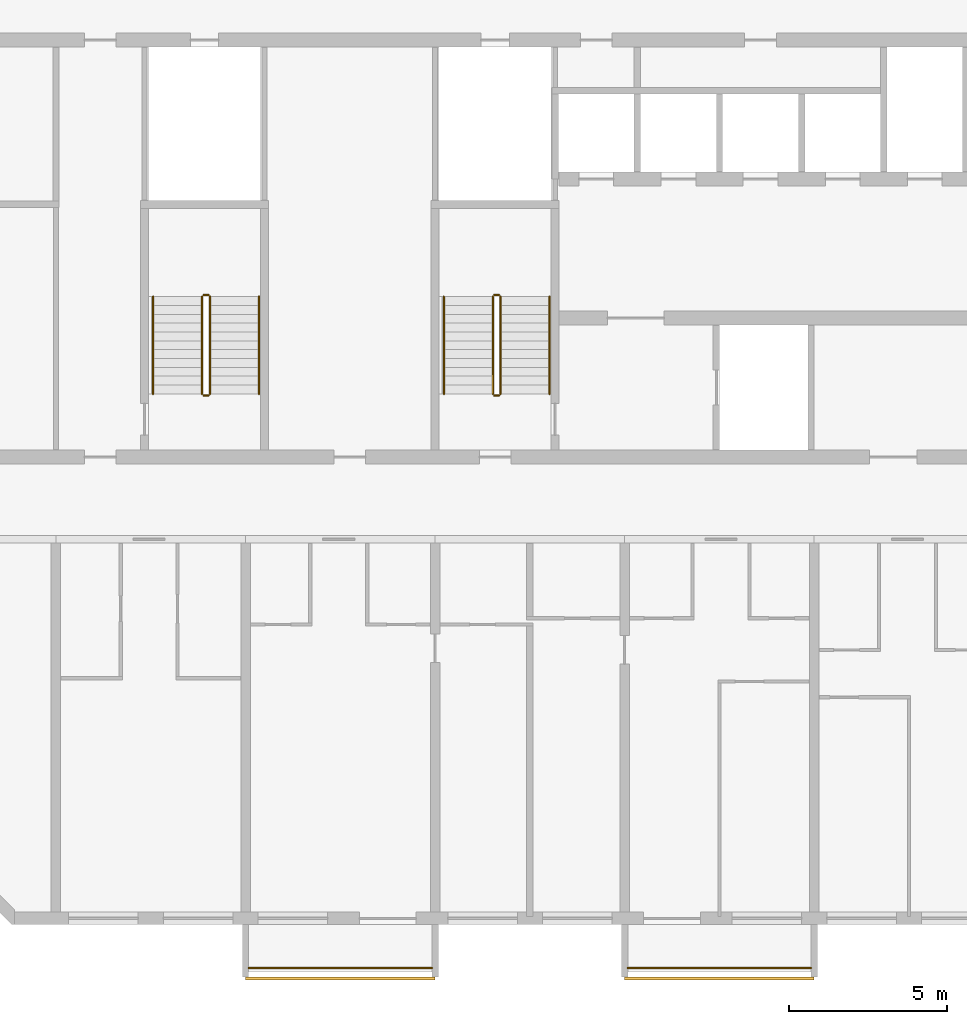
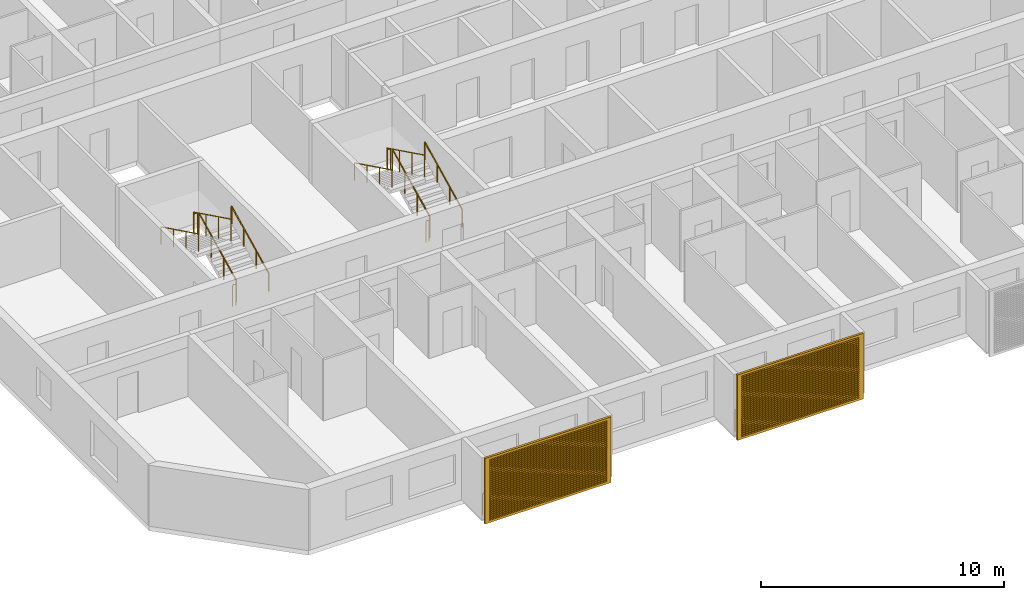
# One storey, part 15 of 33: 14 railings, 2 shading devices.
"""IFC4 building model written with IfcOpenShell, lengths in metres."""

import ifcopenshell
import ifcopenshell.guid

model = None  # the IFC model being written
_history = None  # IfcOwnerHistory: only IFC2X3 demands one
_inside = {}  # id of a spatial element -> (the spatial element, [elements in it])
_under = {}  # id of a project, library or spatial element -> (it, [spatial elements below it])
_declared = {}  # id of a project -> (the project, [libraries it declares])
_typed = {}  # id of a type object -> (the type object, [elements of that type])
_made_of = {}  # id of a material, layer set ... -> (it, [elements and type objects made of it])


def new_model(schema):
    """Start an empty IFC model of exactly this schema.

    Asked for "IFC4X3", IfcOpenShell would pick the latest addendum, in which some entities
    have other attributes; the version numbers below select the first issue.
    IFC2X3 requires an IfcOwnerHistory on every rooted entity: one is made here for all.
    """
    global model, _history
    if schema == "IFC4X3":
        model = ifcopenshell.file(schema_version=(4, 3, 0, 0))
    else:
        model = ifcopenshell.file(schema=schema)
    _inside.clear()
    _under.clear()
    _declared.clear()
    _typed.clear()
    _made_of.clear()
    _history = None
    if model.schema == "IFC2X3":
        org = make("IfcOrganization", Name="unknown")
        user = make(
            "IfcPersonAndOrganization",
            ThePerson=make("IfcPerson", FamilyName="unknown"),
            TheOrganization=org,
        )
        app = make(
            "IfcApplication",
            ApplicationDeveloper=org,
            Version="unknown",
            ApplicationFullName="unknown",
            ApplicationIdentifier="unknown",
        )
        _history = make(
            "IfcOwnerHistory",
            OwningUser=user,
            OwningApplication=app,
            ChangeAction="ADDED",
            CreationDate=0,
        )
    return model


def make(cls, **values):
    """One entity of the class cls with the attributes given. An attribute that is None is left unset."""
    return model.create_entity(
        cls, **{name: value for name, value in values.items() if value is not None}
    )


def rooted(cls, **values):
    """An entity with a GlobalId (a new one), such as an element, a storey or a relation."""
    return make(cls, GlobalId=ifcopenshell.guid.new(), OwnerHistory=_history, **values)


def si_unit(unit_type, name, prefix=None):
    """IfcSIUnit, for example si_unit("LENGTHUNIT", "METRE", prefix="MILLI")."""
    return make("IfcSIUnit", UnitType=unit_type, Prefix=prefix, Name=name)


def assignment(units):
    """IfcUnitAssignment: the units of a project."""
    return None if units is None else make("IfcUnitAssignment", Units=units)


def point(xyz):
    """IfcCartesianPoint."""
    return None if xyz is None else make("IfcCartesianPoint", Coordinates=xyz)


def direction(xyz):
    """IfcDirection."""
    return None if xyz is None else make("IfcDirection", DirectionRatios=xyz)


def frame(location, z_axis=None, x_axis=None):
    """IfcAxis2Placement3D, a coordinate frame: its origin and axes. An axis left out is left unset."""
    return make(
        "IfcAxis2Placement3D",
        Location=point(location),
        Axis=direction(z_axis),
        RefDirection=direction(x_axis),
    )


def frame_2d(location, x_axis=None):
    """IfcAxis2Placement2D, a coordinate frame in the plane: its origin and x axis."""
    return make(
        "IfcAxis2Placement2D", Location=point(location), RefDirection=direction(x_axis)
    )


def origin():
    """The frame at (0, 0, 0) with its axes left unset."""
    return frame((0.0, 0.0, 0.0))


def origin_2d():
    """The frame at (0, 0) in the plane with its x axis left unset."""
    return frame_2d((0.0, 0.0))


def place(relative_to, where):
    """IfcLocalPlacement: puts the frame where relative to a parent placement (None: the world)."""
    return make(
        "IfcLocalPlacement", PlacementRelTo=relative_to, RelativePlacement=where
    )


def context(
    kind, dimensions, precision=None, world=None, true_north=None, identifier=None
):
    """IfcGeometricRepresentationContext, for example the 3D "Model" context."""
    return make(
        "IfcGeometricRepresentationContext",
        ContextIdentifier=identifier,
        ContextType=kind,
        CoordinateSpaceDimension=dimensions,
        Precision=precision,
        WorldCoordinateSystem=world,
        TrueNorth=true_north,
    )


def subcontext(parent, identifier, kind, view, scale=None):
    """IfcGeometricRepresentationSubContext, for example "Body" below "Model"."""
    return make(
        "IfcGeometricRepresentationSubContext",
        ContextIdentifier=identifier,
        ContextType=kind,
        ParentContext=parent,
        TargetScale=scale,
        TargetView=view,
    )


def project(units=None, contexts=None):
    """IfcProject with its units and contexts."""
    return rooted(
        "IfcProject",
        Name="project",
        RepresentationContexts=contexts,
        UnitsInContext=assignment(units),
    )


def spatial(cls, under=None, at=None, **own):
    """A site, building, storey or space (cls), placed at a placement, below another one or the project."""
    s = rooted(cls, ObjectPlacement=at, **own)
    if under is not None:
        _under.setdefault(under.id(), (under, []))[1].append(s)
    return s


def polyline(points):
    """IfcPolyline through the points."""
    return make("IfcPolyline", Points=[point(p) for p in points])


def profile(cls, at=None, kind="AREA", **sizes):
    """A parametric profile (cls). Its sizes go by their IFC names, for example OverallWidth=200.0."""
    return make(cls, ProfileType=kind, Position=at, **sizes)


def circle(**sizes):
    """IfcCircleProfileDef."""
    return profile("IfcCircleProfileDef", **sizes)


def outline(outer, holes=None, kind="AREA"):
    """IfcArbitraryClosedProfileDef: a profile drawn as a closed curve; with holes, ...WithVoids."""
    if holes is None:
        return make("IfcArbitraryClosedProfileDef", ProfileType=kind, OuterCurve=outer)
    return make(
        "IfcArbitraryProfileDefWithVoids",
        ProfileType=kind,
        OuterCurve=outer,
        InnerCurves=holes,
    )


def extrude(swept, where, along, depth):
    """IfcExtrudedAreaSolid: the profile swept, set in the frame where, extruded along a direction by depth."""
    return make(
        "IfcExtrudedAreaSolid",
        SweptArea=swept,
        Position=where,
        ExtrudedDirection=direction(along),
        Depth=depth,
    )


def shape(context_of_items, identifier, shape_type, items):
    """IfcShapeRepresentation: the items that make up one representation, for example the "Body"."""
    return make(
        "IfcShapeRepresentation",
        ContextOfItems=context_of_items,
        RepresentationIdentifier=identifier,
        RepresentationType=shape_type,
        Items=items,
    )


def source(mapping_origin, context_of_items, identifier, shape_type, items):
    """IfcRepresentationMap: a shape defined once, which mapped items show again and again."""
    return make(
        "IfcRepresentationMap",
        MappingOrigin=mapping_origin,
        MappedRepresentation=shape(context_of_items, identifier, shape_type, items),
    )


def transform(
    local_origin,
    x_axis=None,
    y_axis=None,
    z_axis=None,
    scale=None,
    scale2=None,
    scale3=None,
    uniform=True,
):
    """IfcCartesianTransformationOperator3D, or its non-uniform kind. x_axis, y_axis, z_axis: its Axis1, 2, 3."""
    if uniform:
        return make(
            "IfcCartesianTransformationOperator3D",
            Axis1=direction(x_axis),
            Axis2=direction(y_axis),
            LocalOrigin=point(local_origin),
            Scale=scale,
            Axis3=direction(z_axis),
        )
    return make(
        "IfcCartesianTransformationOperator3DnonUniform",
        Axis1=direction(x_axis),
        Axis2=direction(y_axis),
        LocalOrigin=point(local_origin),
        Scale=scale,
        Axis3=direction(z_axis),
        Scale2=scale2,
        Scale3=scale3,
    )


def mapped(mapping_source, mapping_target):
    """IfcMappedItem: shows the shape of a source again, moved by a transform."""
    return make(
        "IfcMappedItem", MappingSource=mapping_source, MappingTarget=mapping_target
    )


def material(Name=None, Category=None):
    """IfcMaterial."""
    return make("IfcMaterial", Name=Name, Category=Category)


def material_profile(
    of_material, cross_section, Name=None, Category=None, Priority=None
):
    """IfcMaterialProfile: a cross section and its material."""
    return make(
        "IfcMaterialProfile",
        Name=Name,
        Material=of_material,
        Profile=cross_section,
        Priority=Priority,
        Category=Category,
    )


def profile_set(profiles, Name=None, composite=None):
    """IfcMaterialProfileSet."""
    return make(
        "IfcMaterialProfileSet",
        Name=Name,
        MaterialProfiles=profiles,
        CompositeProfile=composite,
    )


def made_of(thing, what):
    """Note that an element or type object is made of a material, layer set ...; save() writes the relation."""
    if what is not None:
        _made_of.setdefault(what.id(), (what, []))[1].append(thing)
    return thing


def type_object(cls, material=None, **own):
    """A type object (cls), such as IfcWallType, which elements share."""
    return made_of(rooted(cls, **own), material)


def element(
    cls,
    number,
    at=None,
    inside=None,
    cuts=None,
    type_object=None,
    material=None,
    context=None,
    identifier="Body",
    shape_type=None,
    held_by="IfcProductDefinitionShape",
    body=None,
    shapes=None,
    **own,
):
    """One element of the class cls, such as IfcWall. Its Tag is "e" and its number.

    at: its placement. inside: the storey or other place that contains it. cuts: it is an
    opening in that element (IfcRelVoidsElement). A single representation is given by context,
    identifier, shape_type and body (its items); several are given by shapes. held_by: the class
    of the entity that holds the representations. save() writes the other relations.
    """
    e = rooted(cls, Tag="e%d" % number, ObjectPlacement=at, **own)
    if body is not None:
        shapes = [shape(context, identifier, shape_type, body)]
    if shapes is not None:
        e.Representation = make(held_by, Representations=shapes)
    if inside is not None:
        _inside.setdefault(inside.id(), (inside, []))[1].append(e)
    if cuts is not None:
        rooted(
            "IfcRelVoidsElement", RelatingBuildingElement=cuts, RelatedOpeningElement=e
        )
    if type_object is not None:
        _typed.setdefault(type_object.id(), (type_object, []))[1].append(e)
    return made_of(e, material)


def aggregate(whole, parts):
    """IfcRelAggregates: a whole, such as a stair, and the parts it consists of."""
    return rooted("IfcRelAggregates", RelatingObject=whole, RelatedObjects=parts)


def save(model, path):
    """Write the relations noted so far, then the file.

    IfcRelAggregates (storeys below a building ...), IfcRelContainedInSpatialStructure (elements
    in a storey), IfcRelDefinesByType, IfcRelAssociatesMaterial and IfcRelDeclares: one each for
    every whole, place, type object, material and project.
    """
    for whole, parts in _under.values():
        aggregate(whole, parts)
    for where, things in _inside.values():
        rooted(
            "IfcRelContainedInSpatialStructure",
            RelatedElements=things,
            RelatingStructure=where,
        )
    for kind, things in _typed.values():
        rooted("IfcRelDefinesByType", RelatedObjects=things, RelatingType=kind)
    for what, things in _made_of.values():
        rooted("IfcRelAssociatesMaterial", RelatedObjects=things, RelatingMaterial=what)
    for by, libraries in _declared.values():
        rooted("IfcRelDeclares", RelatingContext=by, RelatedDefinitions=libraries)
    model.write(path)


model = new_model("IFC4")

# Units and contexts
model_context = context("Model", 3, precision=1e-05, world=origin(), true_north=direction((0.0, 1.0)))
body_context = subcontext(model_context, "Body", "Model", "MODEL_VIEW")
ifc_project = project(units=[si_unit("LENGTHUNIT", "METRE"), si_unit("AREAUNIT", "SQUARE_METRE"), si_unit("VOLUMEUNIT", "CUBIC_METRE"), si_unit("PLANEANGLEUNIT", "RADIAN"), si_unit("MASSUNIT", "GRAM", prefix="KILO")], contexts=[model_context])

# Site, building, storey
site_placement = place(None, origin())
site = spatial("IfcSite", under=ifc_project, at=site_placement, CompositionType="ELEMENT")
building_placement = place(site_placement, origin())
building = spatial("IfcBuilding", under=site, at=building_placement, Name="Poui Terraces", CompositionType="ELEMENT")
storey_placement = place(building_placement, frame((0.0, 0.0, 138.89990234375)))
storey = spatial("IfcBuildingStorey", under=building, at=storey_placement, Name="L38", CompositionType="ELEMENT", Elevation=138.89990234375)

# Railings
ifc_material_1 = material(Name="Painted steel fretwork", Category="steel")
railing_type_1 = type_object("IfcRailingType", Name="BALCONY GUARD 1100", PredefinedType="GUARDRAIL", material=ifc_material_1)
for number, where, name in (
    (1, (24.10009765625, -1.570068359375, 0.0), "BALCONY GUARD"),
    (2, (36.10009765625, -1.570068359375, 0.0), "BALCONY GUARD"),
):
    element("IfcRailing", number, at=place(storey_placement, frame(where)), inside=storey, type_object=railing_type_1, Name=name, PredefinedType="GUARDRAIL", context=body_context, shape_type="SweptSolid", body=[
        extrude(circle(Radius=0.02392578125, at=origin_2d()), frame((0.0, 0.0, 1.076171875), z_axis=(1.0, 0.0, 0.0), x_axis=(0.0, 1.0, 0.0)), (0.0, 0.0, 1.0), 5.7998046875),
        extrude(circle(Radius=0.02099609375, at=origin_2d()), origin(), (0.0, 0.0, 1.0), 1.052001953125),
        extrude(circle(Radius=0.02099609375, at=origin_2d()), frame((0.966552734375, 0.0, 0.0)), (0.0, 0.0, 1.0), 1.052001953125),
        extrude(circle(Radius=0.02099609375, at=origin_2d()), frame((1.933349609375, 0.0, 0.0)), (0.0, 0.0, 1.0), 1.052001953125),
        extrude(circle(Radius=0.02099609375, at=origin_2d()), frame((2.89990234375, 0.0, 0.0)), (0.0, 0.0, 1.0), 1.052001953125),
        extrude(circle(Radius=0.02099609375, at=origin_2d()), frame((3.866455078125, 0.0, 0.0)), (0.0, 0.0, 1.0), 1.052001953125),
        extrude(circle(Radius=0.02099609375, at=origin_2d()), frame((4.833251953125, 0.0, 0.0)), (0.0, 0.0, 1.0), 1.052001953125),
        extrude(circle(Radius=0.02099609375, at=origin_2d()), frame((5.7998046875, 0.0, 0.0)), (0.0, 0.0, 1.0), 1.052001953125),
    ])
ifc_material_2 = material(Name="Galvanised steel balustrade", Category="steel")
railing_type_2 = type_object("IfcRailingType", Name="STAIR GUARD 1100", PredefinedType="GUARDRAIL", material=ifc_material_2)
railing_1_placement = place(storey_placement, frame((32.074951171875, 16.60009765625, 0.1376953125)))
element("IfcRailing", 3, at=railing_1_placement, inside=storey, type_object=railing_type_2, Name="L38 ST-CW stair guard 1", PredefinedType="GUARDRAIL", context=body_context, shape_type="SweptSolid", body=[
    extrude(circle(Radius=0.02392578125, at=origin_2d()), frame((0.0, 0.0, 1.076171875), z_axis=(0.0, 0.897606190399, 0.440798283751), x_axis=(-1.0, 0.0, 0.0)), (0.0, 0.0, 1.0), 3.43115234375),
    extrude(circle(Radius=0.02099609375, at=origin_2d()), origin(), (0.0, 0.0, 1.0), 1.052001953125),
    extrude(circle(Radius=0.02099609375, at=origin_2d()), frame((0.0, 1.026611328125, 0.504150390625)), (0.0, 0.0, 1.0), 1.052001953125),
    extrude(circle(Radius=0.02099609375, at=origin_2d()), frame((0.0, 2.05322265625, 1.00830078125)), (0.0, 0.0, 1.0), 1.052001953125),
    extrude(circle(Radius=0.02099609375, at=origin_2d()), frame((0.0, 3.079833984375, 1.512451171875)), (0.0, 0.0, 1.0), 1.052001953125),
])
railing_2_placement = place(storey_placement, frame((32.02490234375, 19.72998046875, 1.650146484375)))
element("IfcRailing", 4, at=railing_2_placement, inside=storey, type_object=railing_type_2, Name="L38 ST-CW stair guard 2", PredefinedType="GUARDRAIL", context=body_context, shape_type="SweptSolid", body=[
    extrude(circle(Radius=0.02392578125, at=origin_2d()), frame((0.0, 0.0, 1.076171875), z_axis=(-1.0, 0.0, 0.0), x_axis=(0.0, -1.0, 0.0)), (0.0, 0.0, 1.0), 0.14990234375),
    extrude(circle(Radius=0.02099609375, at=origin_2d()), origin(), (0.0, 0.0, 1.0), 1.052001953125),
    extrude(circle(Radius=0.02099609375, at=origin_2d()), frame((-0.14990234375, 0.0, 0.0)), (0.0, 0.0, 1.0), 1.052001953125),
])
railing_3_placement = place(storey_placement, frame((31.824951171875, 19.679931640625, 1.78759765625)))
element("IfcRailing", 5, at=railing_3_placement, inside=storey, type_object=railing_type_2, Name="L38 ST-CW stair guard 3", PredefinedType="GUARDRAIL", context=body_context, shape_type="SweptSolid", body=[
    extrude(circle(Radius=0.02392578125, at=origin_2d()), frame((0.0, 0.0, 1.076171875), z_axis=(0.0, -0.897606190399, 0.440798283751), x_axis=(1.0, 0.0, 0.0)), (0.0, 0.0, 1.0), 3.43115234375),
    extrude(circle(Radius=0.02099609375, at=origin_2d()), origin(), (0.0, 0.0, 1.0), 1.052001953125),
    extrude(circle(Radius=0.02099609375, at=origin_2d()), frame((0.0, -1.026611328125, 0.504150390625)), (0.0, 0.0, 1.0), 1.052001953125),
    extrude(circle(Radius=0.02099609375, at=origin_2d()), frame((0.0, -2.05322265625, 1.00830078125)), (0.0, 0.0, 1.0), 1.052001953125),
    extrude(circle(Radius=0.02099609375, at=origin_2d()), frame((0.0, -3.079833984375, 1.512451171875)), (0.0, 0.0, 1.0), 1.052001953125),
])
railing_4_placement = place(storey_placement, frame((32.02490234375, 16.550048828125, 0.0)))
element("IfcRailing", 6, at=railing_4_placement, inside=storey, type_object=railing_type_2, Name="L38 ST-CW stair guard 4", PredefinedType="GUARDRAIL", context=body_context, shape_type="SweptSolid", body=[
    extrude(circle(Radius=0.02392578125, at=origin_2d()), frame((0.0, 0.0, 1.076171875), z_axis=(-1.0, 0.0, 0.0), x_axis=(0.0, -1.0, 0.0)), (0.0, 0.0, 1.0), 0.14990234375),
    extrude(circle(Radius=0.02099609375, at=origin_2d()), origin(), (0.0, 0.0, 1.0), 1.052001953125),
    extrude(circle(Radius=0.02099609375, at=origin_2d()), frame((-0.14990234375, 0.0, 0.0)), (0.0, 0.0, 1.0), 1.052001953125),
])
railing_5_placement = place(storey_placement, frame((22.875, 16.60009765625, 0.1376953125)))
element("IfcRailing", 7, at=railing_5_placement, inside=storey, type_object=railing_type_2, Name="L38 ST-W stair guard 1", PredefinedType="GUARDRAIL", context=body_context, shape_type="SweptSolid", body=[
    extrude(circle(Radius=0.02392578125, at=origin_2d()), frame((0.0, 0.0, 1.076171875), z_axis=(0.0, 0.897606190399, 0.440798283751), x_axis=(-1.0, 0.0, 0.0)), (0.0, 0.0, 1.0), 3.43115234375),
    extrude(circle(Radius=0.02099609375, at=origin_2d()), origin(), (0.0, 0.0, 1.0), 1.052001953125),
    extrude(circle(Radius=0.02099609375, at=origin_2d()), frame((0.0, 1.026611328125, 0.504150390625)), (0.0, 0.0, 1.0), 1.052001953125),
    extrude(circle(Radius=0.02099609375, at=origin_2d()), frame((0.0, 2.05322265625, 1.00830078125)), (0.0, 0.0, 1.0), 1.052001953125),
    extrude(circle(Radius=0.02099609375, at=origin_2d()), frame((0.0, 3.079833984375, 1.512451171875)), (0.0, 0.0, 1.0), 1.052001953125),
])
railing_6_placement = place(storey_placement, frame((22.824951171875, 19.72998046875, 1.650146484375)))
element("IfcRailing", 8, at=railing_6_placement, inside=storey, type_object=railing_type_2, Name="L38 ST-W stair guard 2", PredefinedType="GUARDRAIL", context=body_context, shape_type="SweptSolid", body=[
    extrude(circle(Radius=0.02392578125, at=origin_2d()), frame((0.0, 0.0, 1.076171875), z_axis=(-1.0, 0.0, 0.0), x_axis=(0.0, -1.0, 0.0)), (0.0, 0.0, 1.0), 0.14990234375),
    extrude(circle(Radius=0.02099609375, at=origin_2d()), origin(), (0.0, 0.0, 1.0), 1.052001953125),
    extrude(circle(Radius=0.02099609375, at=origin_2d()), frame((-0.14990234375, 0.0, 0.0)), (0.0, 0.0, 1.0), 1.052001953125),
])
railing_7_placement = place(storey_placement, frame((22.625, 19.679931640625, 1.78759765625)))
element("IfcRailing", 9, at=railing_7_placement, inside=storey, type_object=railing_type_2, Name="L38 ST-W stair guard 3", PredefinedType="GUARDRAIL", context=body_context, shape_type="SweptSolid", body=[
    extrude(circle(Radius=0.02392578125, at=origin_2d()), frame((0.0, 0.0, 1.076171875), z_axis=(0.0, -0.897606190399, 0.440798283751), x_axis=(1.0, 0.0, 0.0)), (0.0, 0.0, 1.0), 3.43115234375),
    extrude(circle(Radius=0.02099609375, at=origin_2d()), origin(), (0.0, 0.0, 1.0), 1.052001953125),
    extrude(circle(Radius=0.02099609375, at=origin_2d()), frame((0.0, -1.026611328125, 0.504150390625)), (0.0, 0.0, 1.0), 1.052001953125),
    extrude(circle(Radius=0.02099609375, at=origin_2d()), frame((0.0, -2.05322265625, 1.00830078125)), (0.0, 0.0, 1.0), 1.052001953125),
    extrude(circle(Radius=0.02099609375, at=origin_2d()), frame((0.0, -3.079833984375, 1.512451171875)), (0.0, 0.0, 1.0), 1.052001953125),
])
railing_8_placement = place(storey_placement, frame((22.824951171875, 16.550048828125, 0.0)))
element("IfcRailing", 10, at=railing_8_placement, inside=storey, type_object=railing_type_2, Name="L38 ST-W stair guard 4", PredefinedType="GUARDRAIL", context=body_context, shape_type="SweptSolid", body=[
    extrude(circle(Radius=0.02392578125, at=origin_2d()), frame((0.0, 0.0, 1.076171875), z_axis=(-1.0, 0.0, 0.0), x_axis=(0.0, -1.0, 0.0)), (0.0, 0.0, 1.0), 0.14990234375),
    extrude(circle(Radius=0.02099609375, at=origin_2d()), origin(), (0.0, 0.0, 1.0), 1.052001953125),
    extrude(circle(Radius=0.02099609375, at=origin_2d()), frame((-0.14990234375, 0.0, 0.0)), (0.0, 0.0, 1.0), 1.052001953125),
])
ifc_material_3 = material(Name="Stainless steel handrail", Category="steel")
railing_type_3 = type_object("IfcRailingType", Name="STAIR HANDRAIL 900", PredefinedType="HANDRAIL", material=ifc_material_3)
railing_9_placement = place(storey_placement, frame((33.625, 16.60009765625, 0.1376953125)))
element("IfcRailing", 11, at=railing_9_placement, inside=storey, type_object=railing_type_3, Name="L38 ST-CW stair handrail 1", PredefinedType="HANDRAIL", context=body_context, shape_type="SweptSolid", body=[
    extrude(circle(Radius=0.02392578125, at=origin_2d()), frame((0.0, 0.0, 0.8759765625), z_axis=(0.0, 0.897606190399, 0.440798283751), x_axis=(-1.0, 0.0, 0.0)), (0.0, 0.0, 1.0), 3.43115234375),
    extrude(circle(Radius=0.02099609375, at=origin_2d()), origin(), (0.0, 0.0, 1.0), 0.851806640625),
    extrude(circle(Radius=0.02099609375, at=origin_2d()), frame((0.0, 1.026611328125, 0.504150390625)), (0.0, 0.0, 1.0), 0.851806640625),
    extrude(circle(Radius=0.02099609375, at=origin_2d()), frame((0.0, 2.05322265625, 1.00830078125)), (0.0, 0.0, 1.0), 0.851806640625),
    extrude(circle(Radius=0.02099609375, at=origin_2d()), frame((0.0, 3.079833984375, 1.512451171875)), (0.0, 0.0, 1.0), 0.851806640625),
])
railing_10_placement = place(storey_placement, frame((30.27490234375, 19.679931640625, 1.78759765625)))
element("IfcRailing", 12, at=railing_10_placement, inside=storey, type_object=railing_type_3, Name="L38 ST-CW stair handrail 2", PredefinedType="HANDRAIL", context=body_context, shape_type="SweptSolid", body=[
    extrude(circle(Radius=0.02392578125, at=origin_2d()), frame((0.0, 0.0, 0.8759765625), z_axis=(0.0, -0.897606190399, 0.440798283751), x_axis=(1.0, 0.0, 0.0)), (0.0, 0.0, 1.0), 3.43115234375),
    extrude(circle(Radius=0.02099609375, at=origin_2d()), origin(), (0.0, 0.0, 1.0), 0.851806640625),
    extrude(circle(Radius=0.02099609375, at=origin_2d()), frame((0.0, -1.026611328125, 0.504150390625)), (0.0, 0.0, 1.0), 0.851806640625),
    extrude(circle(Radius=0.02099609375, at=origin_2d()), frame((0.0, -2.05322265625, 1.00830078125)), (0.0, 0.0, 1.0), 0.851806640625),
    extrude(circle(Radius=0.02099609375, at=origin_2d()), frame((0.0, -3.079833984375, 1.512451171875)), (0.0, 0.0, 1.0), 0.851806640625),
])
railing_11_placement = place(storey_placement, frame((24.425048828125, 16.60009765625, 0.1376953125)))
element("IfcRailing", 13, at=railing_11_placement, inside=storey, type_object=railing_type_3, Name="L38 ST-W stair handrail 1", PredefinedType="HANDRAIL", context=body_context, shape_type="SweptSolid", body=[
    extrude(circle(Radius=0.02392578125, at=origin_2d()), frame((0.0, 0.0, 0.8759765625), z_axis=(0.0, 0.897606190399, 0.440798283751), x_axis=(-1.0, 0.0, 0.0)), (0.0, 0.0, 1.0), 3.43115234375),
    extrude(circle(Radius=0.02099609375, at=origin_2d()), origin(), (0.0, 0.0, 1.0), 0.851806640625),
    extrude(circle(Radius=0.02099609375, at=origin_2d()), frame((0.0, 1.026611328125, 0.504150390625)), (0.0, 0.0, 1.0), 0.851806640625),
    extrude(circle(Radius=0.02099609375, at=origin_2d()), frame((0.0, 2.05322265625, 1.00830078125)), (0.0, 0.0, 1.0), 0.851806640625),
    extrude(circle(Radius=0.02099609375, at=origin_2d()), frame((0.0, 3.079833984375, 1.512451171875)), (0.0, 0.0, 1.0), 0.851806640625),
])
railing_12_placement = place(storey_placement, frame((21.074951171875, 19.679931640625, 1.78759765625)))
element("IfcRailing", 14, at=railing_12_placement, inside=storey, type_object=railing_type_3, Name="L38 ST-W stair handrail 2", PredefinedType="HANDRAIL", context=body_context, shape_type="SweptSolid", body=[
    extrude(circle(Radius=0.02392578125, at=origin_2d()), frame((0.0, 0.0, 0.8759765625), z_axis=(0.0, -0.897606190399, 0.440798283751), x_axis=(1.0, 0.0, 0.0)), (0.0, 0.0, 1.0), 3.43115234375),
    extrude(circle(Radius=0.02099609375, at=origin_2d()), origin(), (0.0, 0.0, 1.0), 0.851806640625),
    extrude(circle(Radius=0.02099609375, at=origin_2d()), frame((0.0, -1.026611328125, 0.504150390625)), (0.0, 0.0, 1.0), 0.851806640625),
    extrude(circle(Radius=0.02099609375, at=origin_2d()), frame((0.0, -2.05322265625, 1.00830078125)), (0.0, 0.0, 1.0), 0.851806640625),
    extrude(circle(Radius=0.02099609375, at=origin_2d()), frame((0.0, -3.079833984375, 1.512451171875)), (0.0, 0.0, 1.0), 0.851806640625),
])

# Shading devices
ifc_material_4 = material(Name="Aluminium louvre", Category="aluminium")
ifc_material_profile = material_profile(ifc_material_4, outline(polyline([(-3.0, -1.64990234375), (3.0, -1.64990234375), (3.0, 1.64990234375), (-3.0, 1.64990234375), (-3.0, -1.64990234375)]), holes=[polyline([(-2.800048828125, -1.530029296875), (2.800048828125, -1.530029296875), (2.800048828125, -1.469970703125), (-2.800048828125, -1.469970703125), (-2.800048828125, -1.530029296875)]), polyline([(-2.800048828125, -1.429931640625), (2.800048828125, -1.429931640625), (2.800048828125, -1.3701171875), (-2.800048828125, -1.3701171875), (-2.800048828125, -1.429931640625)]), polyline([(-2.800048828125, -1.330078125), (2.800048828125, -1.330078125), (2.800048828125, -1.27001953125), (-2.800048828125, -1.27001953125), (-2.800048828125, -1.330078125)]), polyline([(-2.800048828125, -1.22998046875), (2.800048828125, -1.22998046875), (2.800048828125, -1.169921875), (-2.800048828125, -1.169921875), (-2.800048828125, -1.22998046875)]), polyline([(-2.800048828125, -1.1298828125), (2.800048828125, -1.1298828125), (2.800048828125, -1.070068359375), (-2.800048828125, -1.070068359375), (-2.800048828125, -1.1298828125)]), polyline([(-2.800048828125, -1.030029296875), (2.800048828125, -1.030029296875), (2.800048828125, -0.969970703125), (-2.800048828125, -0.969970703125), (-2.800048828125, -1.030029296875)]), polyline([(-2.800048828125, -0.929931640625), (2.800048828125, -0.929931640625), (2.800048828125, -0.8701171875), (-2.800048828125, -0.8701171875), (-2.800048828125, -0.929931640625)]), polyline([(-2.800048828125, -0.830078125), (2.800048828125, -0.830078125), (2.800048828125, -0.77001953125), (-2.800048828125, -0.77001953125), (-2.800048828125, -0.830078125)]), polyline([(-2.800048828125, -0.72998046875), (2.800048828125, -0.72998046875), (2.800048828125, -0.669921875), (-2.800048828125, -0.669921875), (-2.800048828125, -0.72998046875)]), polyline([(-2.800048828125, -0.6298828125), (2.800048828125, -0.6298828125), (2.800048828125, -0.570068359375), (-2.800048828125, -0.570068359375), (-2.800048828125, -0.6298828125)]), polyline([(-2.800048828125, -0.530029296875), (2.800048828125, -0.530029296875), (2.800048828125, -0.469970703125), (-2.800048828125, -0.469970703125), (-2.800048828125, -0.530029296875)]), polyline([(-2.800048828125, -0.429931640625), (2.800048828125, -0.429931640625), (2.800048828125, -0.3701171875), (-2.800048828125, -0.3701171875), (-2.800048828125, -0.429931640625)]), polyline([(-2.800048828125, -0.330078125), (2.800048828125, -0.330078125), (2.800048828125, -0.27001953125), (-2.800048828125, -0.27001953125), (-2.800048828125, -0.330078125)]), polyline([(-2.800048828125, -0.22998046875), (2.800048828125, -0.22998046875), (2.800048828125, -0.169921875), (-2.800048828125, -0.169921875), (-2.800048828125, -0.22998046875)]), polyline([(-2.800048828125, -0.1298828125), (2.800048828125, -0.1298828125), (2.800048828125, -0.070068359375), (-2.800048828125, -0.070068359375), (-2.800048828125, -0.1298828125)]), polyline([(-2.800048828125, -0.030029296875), (2.800048828125, -0.030029296875), (2.800048828125, 0.030029296875), (-2.800048828125, 0.030029296875), (-2.800048828125, -0.030029296875)]), polyline([(-2.800048828125, 0.070068359375), (2.800048828125, 0.070068359375), (2.800048828125, 0.1298828125), (-2.800048828125, 0.1298828125), (-2.800048828125, 0.070068359375)]), polyline([(-2.800048828125, 0.169921875), (2.800048828125, 0.169921875), (2.800048828125, 0.22998046875), (-2.800048828125, 0.22998046875), (-2.800048828125, 0.169921875)]), polyline([(-2.800048828125, 0.27001953125), (2.800048828125, 0.27001953125), (2.800048828125, 0.330078125), (-2.800048828125, 0.330078125), (-2.800048828125, 0.27001953125)]), polyline([(-2.800048828125, 0.3701171875), (2.800048828125, 0.3701171875), (2.800048828125, 0.429931640625), (-2.800048828125, 0.429931640625), (-2.800048828125, 0.3701171875)]), polyline([(-2.800048828125, 0.469970703125), (2.800048828125, 0.469970703125), (2.800048828125, 0.530029296875), (-2.800048828125, 0.530029296875), (-2.800048828125, 0.469970703125)]), polyline([(-2.800048828125, 0.570068359375), (2.800048828125, 0.570068359375), (2.800048828125, 0.6298828125), (-2.800048828125, 0.6298828125), (-2.800048828125, 0.570068359375)]), polyline([(-2.800048828125, 0.669921875), (2.800048828125, 0.669921875), (2.800048828125, 0.72998046875), (-2.800048828125, 0.72998046875), (-2.800048828125, 0.669921875)]), polyline([(-2.800048828125, 0.77001953125), (2.800048828125, 0.77001953125), (2.800048828125, 0.830078125), (-2.800048828125, 0.830078125), (-2.800048828125, 0.77001953125)]), polyline([(-2.800048828125, 0.8701171875), (2.800048828125, 0.8701171875), (2.800048828125, 0.929931640625), (-2.800048828125, 0.929931640625), (-2.800048828125, 0.8701171875)]), polyline([(-2.800048828125, 0.969970703125), (2.800048828125, 0.969970703125), (2.800048828125, 1.030029296875), (-2.800048828125, 1.030029296875), (-2.800048828125, 0.969970703125)]), polyline([(-2.800048828125, 1.070068359375), (2.800048828125, 1.070068359375), (2.800048828125, 1.1298828125), (-2.800048828125, 1.1298828125), (-2.800048828125, 1.070068359375)]), polyline([(-2.800048828125, 1.169921875), (2.800048828125, 1.169921875), (2.800048828125, 1.22998046875), (-2.800048828125, 1.22998046875), (-2.800048828125, 1.169921875)]), polyline([(-2.800048828125, 1.27001953125), (2.800048828125, 1.27001953125), (2.800048828125, 1.330078125), (-2.800048828125, 1.330078125), (-2.800048828125, 1.27001953125)]), polyline([(-2.800048828125, 1.3701171875), (2.800048828125, 1.3701171875), (2.800048828125, 1.429931640625), (-2.800048828125, 1.429931640625), (-2.800048828125, 1.3701171875)]), polyline([(-2.800048828125, 1.469970703125), (2.800048828125, 1.469970703125), (2.800048828125, 1.530029296875), (-2.800048828125, 1.530029296875), (-2.800048828125, 1.469970703125)])]), Name="JALOUSIE LOUVRE SHUTTER 6000X3300")
ifc_profile_set = profile_set([ifc_material_profile], Name="Aluminium louvre")
shading_device_type = type_object("IfcShadingDeviceType", Name="JALOUSIE LOUVRE SHUTTER 6000X3300", PredefinedType="JALOUSIE", material=ifc_profile_set)
shared_shape = source(origin(), body_context, "Body", "SweptSolid", [
    extrude(outline(polyline([(-3.0, -1.64990234375), (3.0, -1.64990234375), (3.0, 1.64990234375), (-3.0, 1.64990234375), (-3.0, -1.64990234375)]), holes=[polyline([(-2.800048828125, -1.530029296875), (2.800048828125, -1.530029296875), (2.800048828125, -1.469970703125), (-2.800048828125, -1.469970703125), (-2.800048828125, -1.530029296875)]), polyline([(-2.800048828125, -1.429931640625), (2.800048828125, -1.429931640625), (2.800048828125, -1.3701171875), (-2.800048828125, -1.3701171875), (-2.800048828125, -1.429931640625)]), polyline([(-2.800048828125, -1.330078125), (2.800048828125, -1.330078125), (2.800048828125, -1.27001953125), (-2.800048828125, -1.27001953125), (-2.800048828125, -1.330078125)]), polyline([(-2.800048828125, -1.22998046875), (2.800048828125, -1.22998046875), (2.800048828125, -1.169921875), (-2.800048828125, -1.169921875), (-2.800048828125, -1.22998046875)]), polyline([(-2.800048828125, -1.1298828125), (2.800048828125, -1.1298828125), (2.800048828125, -1.070068359375), (-2.800048828125, -1.070068359375), (-2.800048828125, -1.1298828125)]), polyline([(-2.800048828125, -1.030029296875), (2.800048828125, -1.030029296875), (2.800048828125, -0.969970703125), (-2.800048828125, -0.969970703125), (-2.800048828125, -1.030029296875)]), polyline([(-2.800048828125, -0.929931640625), (2.800048828125, -0.929931640625), (2.800048828125, -0.8701171875), (-2.800048828125, -0.8701171875), (-2.800048828125, -0.929931640625)]), polyline([(-2.800048828125, -0.830078125), (2.800048828125, -0.830078125), (2.800048828125, -0.77001953125), (-2.800048828125, -0.77001953125), (-2.800048828125, -0.830078125)]), polyline([(-2.800048828125, -0.72998046875), (2.800048828125, -0.72998046875), (2.800048828125, -0.669921875), (-2.800048828125, -0.669921875), (-2.800048828125, -0.72998046875)]), polyline([(-2.800048828125, -0.6298828125), (2.800048828125, -0.6298828125), (2.800048828125, -0.570068359375), (-2.800048828125, -0.570068359375), (-2.800048828125, -0.6298828125)]), polyline([(-2.800048828125, -0.530029296875), (2.800048828125, -0.530029296875), (2.800048828125, -0.469970703125), (-2.800048828125, -0.469970703125), (-2.800048828125, -0.530029296875)]), polyline([(-2.800048828125, -0.429931640625), (2.800048828125, -0.429931640625), (2.800048828125, -0.3701171875), (-2.800048828125, -0.3701171875), (-2.800048828125, -0.429931640625)]), polyline([(-2.800048828125, -0.330078125), (2.800048828125, -0.330078125), (2.800048828125, -0.27001953125), (-2.800048828125, -0.27001953125), (-2.800048828125, -0.330078125)]), polyline([(-2.800048828125, -0.22998046875), (2.800048828125, -0.22998046875), (2.800048828125, -0.169921875), (-2.800048828125, -0.169921875), (-2.800048828125, -0.22998046875)]), polyline([(-2.800048828125, -0.1298828125), (2.800048828125, -0.1298828125), (2.800048828125, -0.070068359375), (-2.800048828125, -0.070068359375), (-2.800048828125, -0.1298828125)]), polyline([(-2.800048828125, -0.030029296875), (2.800048828125, -0.030029296875), (2.800048828125, 0.030029296875), (-2.800048828125, 0.030029296875), (-2.800048828125, -0.030029296875)]), polyline([(-2.800048828125, 0.070068359375), (2.800048828125, 0.070068359375), (2.800048828125, 0.1298828125), (-2.800048828125, 0.1298828125), (-2.800048828125, 0.070068359375)]), polyline([(-2.800048828125, 0.169921875), (2.800048828125, 0.169921875), (2.800048828125, 0.22998046875), (-2.800048828125, 0.22998046875), (-2.800048828125, 0.169921875)]), polyline([(-2.800048828125, 0.27001953125), (2.800048828125, 0.27001953125), (2.800048828125, 0.330078125), (-2.800048828125, 0.330078125), (-2.800048828125, 0.27001953125)]), polyline([(-2.800048828125, 0.3701171875), (2.800048828125, 0.3701171875), (2.800048828125, 0.429931640625), (-2.800048828125, 0.429931640625), (-2.800048828125, 0.3701171875)]), polyline([(-2.800048828125, 0.469970703125), (2.800048828125, 0.469970703125), (2.800048828125, 0.530029296875), (-2.800048828125, 0.530029296875), (-2.800048828125, 0.469970703125)]), polyline([(-2.800048828125, 0.570068359375), (2.800048828125, 0.570068359375), (2.800048828125, 0.6298828125), (-2.800048828125, 0.6298828125), (-2.800048828125, 0.570068359375)]), polyline([(-2.800048828125, 0.669921875), (2.800048828125, 0.669921875), (2.800048828125, 0.72998046875), (-2.800048828125, 0.72998046875), (-2.800048828125, 0.669921875)]), polyline([(-2.800048828125, 0.77001953125), (2.800048828125, 0.77001953125), (2.800048828125, 0.830078125), (-2.800048828125, 0.830078125), (-2.800048828125, 0.77001953125)]), polyline([(-2.800048828125, 0.8701171875), (2.800048828125, 0.8701171875), (2.800048828125, 0.929931640625), (-2.800048828125, 0.929931640625), (-2.800048828125, 0.8701171875)]), polyline([(-2.800048828125, 0.969970703125), (2.800048828125, 0.969970703125), (2.800048828125, 1.030029296875), (-2.800048828125, 1.030029296875), (-2.800048828125, 0.969970703125)]), polyline([(-2.800048828125, 1.070068359375), (2.800048828125, 1.070068359375), (2.800048828125, 1.1298828125), (-2.800048828125, 1.1298828125), (-2.800048828125, 1.070068359375)]), polyline([(-2.800048828125, 1.169921875), (2.800048828125, 1.169921875), (2.800048828125, 1.22998046875), (-2.800048828125, 1.22998046875), (-2.800048828125, 1.169921875)]), polyline([(-2.800048828125, 1.27001953125), (2.800048828125, 1.27001953125), (2.800048828125, 1.330078125), (-2.800048828125, 1.330078125), (-2.800048828125, 1.27001953125)]), polyline([(-2.800048828125, 1.3701171875), (2.800048828125, 1.3701171875), (2.800048828125, 1.429931640625), (-2.800048828125, 1.429931640625), (-2.800048828125, 1.3701171875)]), polyline([(-2.800048828125, 1.469970703125), (2.800048828125, 1.469970703125), (2.800048828125, 1.530029296875), (-2.800048828125, 1.530029296875), (-2.800048828125, 1.469970703125)])]), origin(), (0.0, 0.0, 1.0), 0.099853515625),
])
for number, where, z_axis, x_axis, name in (
    (15, (27.0, -1.85009765625, 1.4501953125), (0.0, -1.0, 0.0), (1.0, 0.0, 0.0), "JALOUSIE LOUVRE SHUTTER"),
    (16, (39.0, -1.85009765625, 1.4501953125), (0.0, -1.0, 0.0), (1.0, 0.0, 0.0), "JALOUSIE LOUVRE SHUTTER"),
):
    element("IfcShadingDevice", number, at=place(storey_placement, frame(where, z_axis=z_axis, x_axis=x_axis)), inside=storey, type_object=shading_device_type, Name=name, PredefinedType="JALOUSIE", context=body_context, shape_type="MappedRepresentation", body=[
        mapped(shared_shape, transform((0.0, 0.0, 0.0))),
    ])

save(model, "model.ifc")
